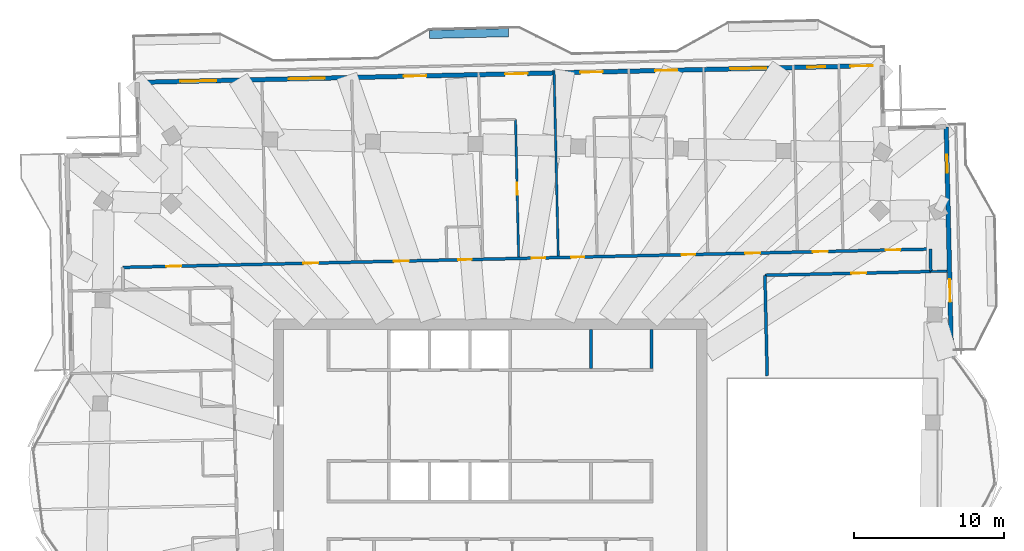
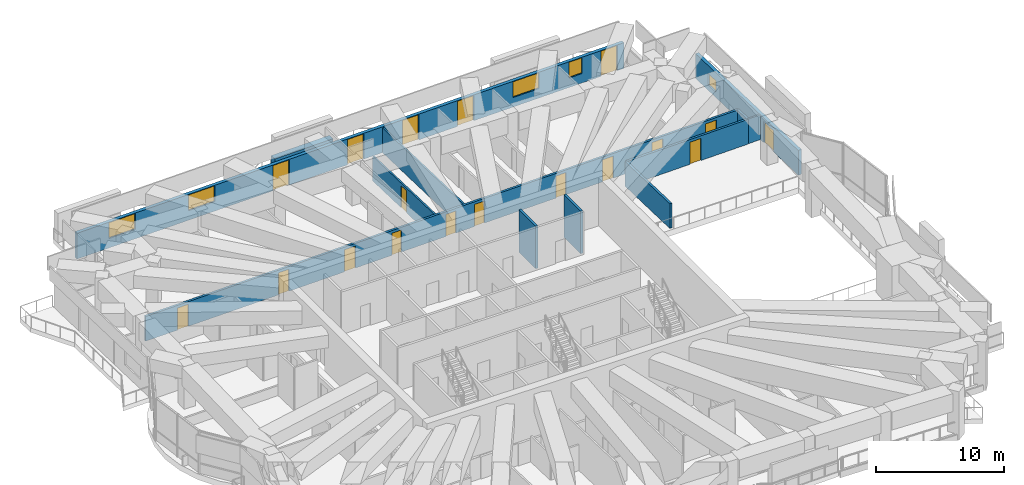
# One storey, part 16 of 21: 18 doors, 12 walls, 5 windows, 23 openings.
"""IFC4 building model written with IfcOpenShell, lengths in metres."""

from ifc_helpers import new_model, si_unit, direction, frame, frame_2d, origin, place, context, subcontext, project, spatial, rectangle, extrude, material, layer, layer_set, type_object, element, fill, save


model = new_model("IFC4")

# Units and contexts
model_context = context("Model", 3, precision=1e-05, world=origin(), true_north=direction((0.0, 1.0)))
body_context = subcontext(model_context, "Body", "Model", "MODEL_VIEW")
ifc_project = project(units=[si_unit("LENGTHUNIT", "METRE"), si_unit("AREAUNIT", "SQUARE_METRE"), si_unit("VOLUMEUNIT", "CUBIC_METRE"), si_unit("PLANEANGLEUNIT", "RADIAN"), si_unit("MASSUNIT", "GRAM", prefix="KILO")], contexts=[model_context])

# Site, building, storey
site_placement = place(None, origin())
site = spatial("IfcSite", under=ifc_project, at=site_placement, CompositionType="ELEMENT")
building_placement = place(site_placement, origin())
building = spatial("IfcBuilding", under=site, at=building_placement, Name="Mangrove Gate Tower", CompositionType="ELEMENT")
storey_placement = place(building_placement, frame((0.0, 0.0, 275.300048828125)))
storey = spatial("IfcBuildingStorey", under=building, at=storey_placement, Name="L70", CompositionType="ELEMENT", Elevation=275.300048828125)

# Walls
ifc_material_1 = material(Name="Concrete C32/40", Category="concrete")
ifc_layer_1 = layer(ifc_material_1, 0.199951171875)
ifc_layer_set_1 = layer_set([ifc_layer_1], Name="Core room wall 200 C32/40")
wall_type_1 = type_object("IfcWallType", Name="Core room wall 200 C32/40", PredefinedType="STANDARD", material=ifc_layer_set_1)
for number, where, z_axis, x_axis, name in (
    (1, (6.75, 8.199951171875, 0.0), (0.0, 0.0, 1.0), (0.0, 1.0, 0.0), "WALL-L70-CORE-31"),
    (2, (10.800048828125, 8.199951171875, 0.0), (0.0, 0.0, 1.0), (0.0, 1.0, 0.0), "WALL-L70-CORE-32"),
):
    element("IfcWall", number, at=place(storey_placement, frame(where, z_axis=z_axis, x_axis=x_axis)), inside=storey, type_object=wall_type_1, Name=name, PredefinedType="STANDARD", context=body_context, shape_type="SweptSolid", body=[
        extrude(rectangle(XDim=2.60009765625, YDim=0.199951171875, at=frame_2d((1.300048828125, 0.0))), origin(), (0.0, 0.0, 1.0), 4.050048828125),
    ])
ifc_material_2 = material(Name="Gypsum board on steel stud, EI 60", Category="steel")
ifc_layer_2 = layer(ifc_material_2, 0.199951171875)
ifc_layer_set_2 = layer_set([ifc_layer_2], Name="Corridor wall EI 60")
wall_type_2 = type_object("IfcWallType", Name="Corridor wall EI 60", PredefinedType="PARTITIONING", material=ifc_layer_set_2)
wall_1_placement = place(storey_placement, frame((18.537109375, 7.714111328125, 0.0), z_axis=(0.0, 0.0, 1.0), x_axis=(-0.022773383809, 0.999740652864, 0.0)))
element("IfcWall", 3, at=wall_1_placement, inside=storey, type_object=wall_type_2, Name="WALL-L70-044", PredefinedType="PARTITIONING", context=body_context, shape_type="SweptSolid", body=[
    extrude(rectangle(XDim=6.7216796875, YDim=0.199951171875, at=frame_2d((3.36083984375, 0.0))), origin(), (0.0, 0.0, 1.0), 2.349853515625),
])

# Wall, opening, door
wall_2_placement = place(storey_placement, frame((18.382080078125, 14.43408203125, 0.0), z_axis=(0.0, 0.0, 1.0), x_axis=(0.999742346277, 0.022698921993, 0.0)))
wall_2 = element("IfcWall", 4, at=wall_2_placement, inside=storey, type_object=wall_type_2, Name="WALL-L70-051", PredefinedType="PARTITIONING", context=body_context, shape_type="SweptSolid", body=[
    extrude(rectangle(XDim=11.099853515625, YDim=0.199951171875, at=frame_2d((5.5498046875, 0.0))), origin(), (0.0, 0.0, 1.0), 2.349853515625),
])
opening_1_placement = place(wall_2_placement, frame((5.777099609375, 0.0, 0.0)))
opening_1 = element("IfcOpeningElement", 5, at=opening_1_placement, cuts=wall_2, Name="Opening AD", PredefinedType="OPENING", context=body_context, shape_type="SweptSolid", body=[
    extrude(rectangle(XDim=1.0, YDim=2.10009765625, at=frame_2d((0.5, 1.050048828125))), frame((0.0, 0.10986328125, 0.0), z_axis=(0.0, -1.0, 0.0), x_axis=(1.0, 0.0, 0.0)), (0.0, 0.0, 1.0), 0.219970703125),
])
ifc_material_3 = material(Name="Timber door leaf", Category="wood")
door_type_1 = type_object("IfcDoorType", Name="Amenity door 1000", OperationType="SINGLE_SWING_LEFT", PredefinedType="DOOR", material=ifc_material_3)
door_1_placement = place(opening_1_placement, origin())
door_1 = element("IfcDoor", 6, at=door_1_placement, inside=storey, type_object=door_type_1, Name="DOOR-L70-GAM-c3b", OperationType="SINGLE_SWING_LEFT", OverallHeight=2.10009765625, OverallWidth=1.0, PredefinedType="DOOR", context=body_context, shape_type="SweptSolid", body=[
    extrude(rectangle(XDim=1.0, YDim=2.10009765625, at=frame_2d((0.5, 1.050048828125))), frame((0.0, 0.02490234375, 0.0), z_axis=(0.0, -1.0, 0.0), x_axis=(1.0, 0.0, 0.0)), (0.0, 0.0, 1.0), 0.050048828125),
])
fill(opening_1, door_1)

# Wall
wall_3_placement = place(storey_placement, frame((29.48095703125, 14.68603515625, 0.0), z_axis=(0.0, 0.0, 1.0), x_axis=(-0.022617910375, 0.999744182344, 0.0)))
element("IfcWall", 7, at=wall_3_placement, inside=storey, type_object=wall_type_2, Name="WALL-L70-053", PredefinedType="PARTITIONING", context=body_context, shape_type="SweptSolid", body=[
    extrude(rectangle(XDim=1.50048828125, YDim=0.199951171875, at=frame_2d((0.750244140625, 0.0))), origin(), (0.0, 0.0, 1.0), 2.349853515625),
])

# Wall, openings, doors
wall_4_placement = place(storey_placement, frame((-24.56591796875, 14.9599609375, 0.0), z_axis=(0.0, 0.0, 1.0), x_axis=(0.999742854064, 0.022676546211, 0.0)))
wall_4 = element("IfcWall", 8, at=wall_4_placement, inside=storey, type_object=wall_type_2, Name="WALL-L70-054", PredefinedType="PARTITIONING", context=body_context, shape_type="SweptSolid", body=[
    extrude(rectangle(XDim=54.02490234375, YDim=0.199951171875, at=frame_2d((27.012451171875, 0.0))), origin(), (0.0, 0.0, 1.0), 2.349853515625),
])
opening_2_placement = place(wall_4_placement, frame((51.031005859375, 0.0, 0.0)))
opening_2 = element("IfcOpeningElement", 9, at=opening_2_placement, cuts=wall_4, Name="Opening AD", PredefinedType="OPENING", context=body_context, shape_type="SweptSolid", body=[
    extrude(rectangle(XDim=1.0, YDim=2.10009765625, at=frame_2d((0.5, 1.050048828125))), frame((0.0, 0.10986328125, 0.0), z_axis=(0.0, -1.0, 0.0), x_axis=(1.0, 0.0, 0.0)), (0.0, 0.0, 1.0), 0.219970703125),
])
opening_3_placement = place(wall_4_placement, frame((46.1640625, 0.0, 0.0)))
opening_3 = element("IfcOpeningElement", 10, at=opening_3_placement, cuts=wall_4, Name="Opening AD", PredefinedType="OPENING", context=body_context, shape_type="SweptSolid", body=[
    extrude(rectangle(XDim=1.0, YDim=2.10009765625, at=frame_2d((0.5, 1.050048828125))), frame((0.0, 0.10986328125, 0.0), z_axis=(0.0, -1.0, 0.0), x_axis=(1.0, 0.0, 0.0)), (0.0, 0.0, 1.0), 0.219970703125),
])
opening_4_placement = place(wall_4_placement, frame((41.638916015625, 0.0, 0.0)))
opening_4 = element("IfcOpeningElement", 11, at=opening_4_placement, cuts=wall_4, Name="Opening AD", PredefinedType="OPENING", context=body_context, shape_type="SweptSolid", body=[
    extrude(rectangle(XDim=1.0, YDim=2.10009765625, at=frame_2d((0.5, 1.050048828125))), frame((0.0, 0.10986328125, 0.0), z_axis=(0.0, -1.0, 0.0), x_axis=(1.0, 0.0, 0.0)), (0.0, 0.0, 1.0), 0.219970703125),
])
opening_5_placement = place(wall_4_placement, frame((37.388916015625, 0.0, 0.0)))
opening_5 = element("IfcOpeningElement", 12, at=opening_5_placement, cuts=wall_4, Name="Opening BD", PredefinedType="OPENING", context=body_context, shape_type="SweptSolid", body=[
    extrude(rectangle(XDim=0.89990234375, YDim=2.10009765625, at=frame_2d((0.449951171875, 1.050048828125))), frame((0.0, 0.10986328125, 0.0), z_axis=(0.0, -1.0, 0.0), x_axis=(1.0, 0.0, 0.0)), (0.0, 0.0, 1.0), 0.219970703125),
])
opening_6_placement = place(wall_4_placement, frame((29.989013671875, 0.0, 0.0)))
opening_6 = element("IfcOpeningElement", 13, at=opening_6_placement, cuts=wall_4, Name="Opening BD", PredefinedType="OPENING", context=body_context, shape_type="SweptSolid", body=[
    extrude(rectangle(XDim=0.89990234375, YDim=2.10009765625, at=frame_2d((0.449951171875, 1.050048828125))), frame((0.0, 0.10986328125, 0.0), z_axis=(0.0, -1.0, 0.0), x_axis=(1.0, 0.0, 0.0)), (0.0, 0.0, 1.0), 0.219970703125),
])
opening_7_placement = place(wall_4_placement, frame((27.364013671875, 0.0, 0.0)))
opening_7 = element("IfcOpeningElement", 14, at=opening_7_placement, cuts=wall_4, Name="Opening BD", PredefinedType="OPENING", context=body_context, shape_type="SweptSolid", body=[
    extrude(rectangle(XDim=0.89990234375, YDim=2.10009765625, at=frame_2d((0.449951171875, 1.050048828125))), frame((0.0, 0.10986328125, 0.0), z_axis=(0.0, -1.0, 0.0), x_axis=(1.0, 0.0, 0.0)), (0.0, 0.0, 1.0), 0.219970703125),
])
opening_8_placement = place(wall_4_placement, frame((18.138916015625, 0.0, 0.0)))
opening_8 = element("IfcOpeningElement", 15, at=opening_8_placement, cuts=wall_4, Name="Opening AD", PredefinedType="OPENING", context=body_context, shape_type="SweptSolid", body=[
    extrude(rectangle(XDim=1.0, YDim=2.10009765625, at=frame_2d((0.5, 1.050048828125))), frame((0.0, 0.10986328125, 0.0), z_axis=(0.0, -1.0, 0.0), x_axis=(1.0, 0.0, 0.0)), (0.0, 0.0, 1.0), 0.219970703125),
])
opening_9_placement = place(wall_4_placement, frame((22.43896484375, 0.0, 0.0)))
opening_9 = element("IfcOpeningElement", 16, at=opening_9_placement, cuts=wall_4, Name="Opening SD", PredefinedType="OPENING", context=body_context, shape_type="SweptSolid", body=[
    extrude(rectangle(XDim=0.89990234375, YDim=2.10009765625, at=frame_2d((0.449951171875, 1.050048828125))), frame((0.0, 0.10986328125, 0.0), z_axis=(0.0, -1.0, 0.0), x_axis=(1.0, 0.0, 0.0)), (0.0, 0.0, 1.0), 0.219970703125),
])
opening_10_placement = place(wall_4_placement, frame((12.089111328125, 0.0, 0.0)))
opening_10 = element("IfcOpeningElement", 17, at=opening_10_placement, cuts=wall_4, Name="Opening AD", PredefinedType="OPENING", context=body_context, shape_type="SweptSolid", body=[
    extrude(rectangle(XDim=1.0, YDim=2.10009765625, at=frame_2d((0.5, 1.050048828125))), frame((0.0, 0.10986328125, 0.0), z_axis=(0.0, -1.0, 0.0), x_axis=(1.0, 0.0, 0.0)), (0.0, 0.0, 1.0), 0.219970703125),
])
opening_11_placement = place(wall_4_placement, frame((2.91796875, 0.0, 0.0)))
opening_11 = element("IfcOpeningElement", 18, at=opening_11_placement, cuts=wall_4, Name="Opening AD", PredefinedType="OPENING", context=body_context, shape_type="SweptSolid", body=[
    extrude(rectangle(XDim=1.0, YDim=2.10009765625, at=frame_2d((0.5, 1.050048828125))), frame((0.0, 0.10986328125, 0.0), z_axis=(0.0, -1.0, 0.0), x_axis=(1.0, 0.0, 0.0)), (0.0, 0.0, 1.0), 0.219970703125),
])
door_2_placement = place(opening_2_placement, origin())
door_2 = element("IfcDoor", 19, at=door_2_placement, inside=storey, type_object=door_type_1, Name="DOOR-L70-STU-c3b", OperationType="SINGLE_SWING_RIGHT", OverallHeight=2.10009765625, OverallWidth=1.0, PredefinedType="DOOR", context=body_context, shape_type="SweptSolid", body=[
    extrude(rectangle(XDim=1.0, YDim=2.10009765625, at=frame_2d((0.5, 1.050048828125))), frame((0.0, 0.02490234375, 0.0), z_axis=(0.0, -1.0, 0.0), x_axis=(1.0, 0.0, 0.0)), (0.0, 0.0, 1.0), 0.050048828125),
])
fill(opening_2, door_2)
door_3_placement = place(opening_3_placement, origin())
door_3 = element("IfcDoor", 20, at=door_3_placement, inside=storey, type_object=door_type_1, Name="DOOR-L70-STU-c3c", OperationType="SINGLE_SWING_LEFT", OverallHeight=2.10009765625, OverallWidth=1.0, PredefinedType="DOOR", context=body_context, shape_type="SweptSolid", body=[
    extrude(rectangle(XDim=1.0, YDim=2.10009765625, at=frame_2d((0.5, 1.050048828125))), frame((0.0, 0.02490234375, 0.0), z_axis=(0.0, -1.0, 0.0), x_axis=(1.0, 0.0, 0.0)), (0.0, 0.0, 1.0), 0.050048828125),
])
fill(opening_3, door_3)
door_4_placement = place(opening_4_placement, origin())
door_4 = element("IfcDoor", 21, at=door_4_placement, inside=storey, type_object=door_type_1, Name="DOOR-L70-KIT-c3b", OperationType="SINGLE_SWING_RIGHT", OverallHeight=2.10009765625, OverallWidth=1.0, PredefinedType="DOOR", context=body_context, shape_type="SweptSolid", body=[
    extrude(rectangle(XDim=1.0, YDim=2.10009765625, at=frame_2d((0.5, 1.050048828125))), frame((0.0, 0.02490234375, 0.0), z_axis=(0.0, -1.0, 0.0), x_axis=(1.0, 0.0, 0.0)), (0.0, 0.0, 1.0), 0.050048828125),
])
fill(opening_4, door_4)
door_5_placement = place(opening_8_placement, origin())
door_5 = element("IfcDoor", 22, at=door_5_placement, inside=storey, type_object=door_type_1, Name="DOOR-L70-LNG-c5a", OperationType="SINGLE_SWING_LEFT", OverallHeight=2.10009765625, OverallWidth=1.0, PredefinedType="DOOR", context=body_context, shape_type="SweptSolid", body=[
    extrude(rectangle(XDim=1.0, YDim=2.10009765625, at=frame_2d((0.5, 1.050048828125))), frame((0.0, 0.02490234375, 0.0), z_axis=(0.0, -1.0, 0.0), x_axis=(1.0, 0.0, 0.0)), (0.0, 0.0, 1.0), 0.050048828125),
])
fill(opening_8, door_5)
door_6_placement = place(opening_10_placement, origin())
door_6 = element("IfcDoor", 23, at=door_6_placement, inside=storey, type_object=door_type_1, Name="DOOR-L70-KIT-c5a", OperationType="SINGLE_SWING_RIGHT", OverallHeight=2.10009765625, OverallWidth=1.0, PredefinedType="DOOR", context=body_context, shape_type="SweptSolid", body=[
    extrude(rectangle(XDim=1.0, YDim=2.10009765625, at=frame_2d((0.5, 1.050048828125))), frame((0.0, 0.02490234375, 0.0), z_axis=(0.0, -1.0, 0.0), x_axis=(1.0, 0.0, 0.0)), (0.0, 0.0, 1.0), 0.050048828125),
])
fill(opening_10, door_6)
door_7_placement = place(opening_11_placement, origin())
door_7 = element("IfcDoor", 24, at=door_7_placement, inside=storey, type_object=door_type_1, Name="DOOR-L70-LNG-c5b", OperationType="SINGLE_SWING_LEFT", OverallHeight=2.10009765625, OverallWidth=1.0, PredefinedType="DOOR", context=body_context, shape_type="SweptSolid", body=[
    extrude(rectangle(XDim=1.0, YDim=2.10009765625, at=frame_2d((0.5, 1.050048828125))), frame((0.0, 0.02490234375, 0.0), z_axis=(0.0, -1.0, 0.0), x_axis=(1.0, 0.0, 0.0)), (0.0, 0.0, 1.0), 0.050048828125),
])
fill(opening_11, door_7)
ifc_material_4 = material(Name="Timber door leaf", Category="wood")
door_type_2 = type_object("IfcDoorType", Name="Bedroom door 900", OperationType="SINGLE_SWING_LEFT", PredefinedType="DOOR", material=ifc_material_4)
door_8_placement = place(opening_5_placement, origin())
door_8 = element("IfcDoor", 25, at=door_8_placement, inside=storey, type_object=door_type_2, Name="DOOR-L70-BED-c305", OperationType="SINGLE_SWING_LEFT", OverallHeight=2.10009765625, OverallWidth=0.89990234375, PredefinedType="DOOR", context=body_context, shape_type="SweptSolid", body=[
    extrude(rectangle(XDim=0.89990234375, YDim=2.10009765625, at=frame_2d((0.449951171875, 1.050048828125))), frame((0.0, 0.02490234375, 0.0), z_axis=(0.0, -1.0, 0.0), x_axis=(1.0, 0.0, 0.0)), (0.0, 0.0, 1.0), 0.050048828125),
])
fill(opening_5, door_8)
door_9_placement = place(opening_6_placement, origin())
door_9 = element("IfcDoor", 26, at=door_9_placement, inside=storey, type_object=door_type_2, Name="DOOR-L70-BED-c406", OperationType="SINGLE_SWING_RIGHT", OverallHeight=2.10009765625, OverallWidth=0.89990234375, PredefinedType="DOOR", context=body_context, shape_type="SweptSolid", body=[
    extrude(rectangle(XDim=0.89990234375, YDim=2.10009765625, at=frame_2d((0.449951171875, 1.050048828125))), frame((0.0, 0.02490234375, 0.0), z_axis=(0.0, -1.0, 0.0), x_axis=(1.0, 0.0, 0.0)), (0.0, 0.0, 1.0), 0.050048828125),
])
fill(opening_6, door_9)
door_10_placement = place(opening_7_placement, origin())
door_10 = element("IfcDoor", 27, at=door_10_placement, inside=storey, type_object=door_type_2, Name="DOOR-L70-BED-c507", OperationType="SINGLE_SWING_LEFT", OverallHeight=2.10009765625, OverallWidth=0.89990234375, PredefinedType="DOOR", context=body_context, shape_type="SweptSolid", body=[
    extrude(rectangle(XDim=0.89990234375, YDim=2.10009765625, at=frame_2d((0.449951171875, 1.050048828125))), frame((0.0, 0.02490234375, 0.0), z_axis=(0.0, -1.0, 0.0), x_axis=(1.0, 0.0, 0.0)), (0.0, 0.0, 1.0), 0.050048828125),
])
fill(opening_7, door_10)
ifc_material_5 = material(Name="Timber door leaf", Category="wood")
door_type_3 = type_object("IfcDoorType", Name="Service room door 900", OperationType="SINGLE_SWING_LEFT", PredefinedType="DOOR", material=ifc_material_5)
door_11_placement = place(opening_9_placement, origin())
door_11 = element("IfcDoor", 28, at=door_11_placement, inside=storey, type_object=door_type_3, Name="DOOR-L70-LIN-c5a", OperationType="SINGLE_SWING_LEFT", OverallHeight=2.10009765625, OverallWidth=0.89990234375, PredefinedType="DOOR", context=body_context, shape_type="SweptSolid", body=[
    extrude(rectangle(XDim=0.89990234375, YDim=2.10009765625, at=frame_2d((0.449951171875, 1.050048828125))), frame((0.0, 0.02490234375, 0.0), z_axis=(0.0, -1.0, 0.0), x_axis=(1.0, 0.0, 0.0)), (0.0, 0.0, 1.0), 0.050048828125),
])
fill(opening_9, door_11)

# Wall, openings, door, window
ifc_material_6 = material(Name="Limestone", Category="masonry")
ifc_layer_3 = layer(ifc_material_6, 0.0400390625, Name="Limestone cladding")
ifc_material_7 = material(Name="Ventilated air gap")
ifc_layer_4 = layer(ifc_material_7, 0.0400390625, Name="Ventilated cavity")
ifc_material_8 = material(Name="Mineral wool insulation")
ifc_layer_5 = layer(ifc_material_8, 0.06005859375, Name="Insulation")
ifc_material_9 = material(Name="Breather membrane")
ifc_layer_6 = layer(ifc_material_9, 0.001953125, Name="Breather membrane")
ifc_material_10 = material(Name="Concrete C20/25 blockwork", Category="masonry")
ifc_layer_7 = layer(ifc_material_10, 0.14990234375, Name="Blockwork backing wall")
ifc_material_11 = material(Name="Gypsum plaster")
ifc_layer_8 = layer(ifc_material_11, 0.008056640625, Name="Internal plaster")
ifc_layer_set_3 = layer_set([ifc_layer_3, ifc_layer_4, ifc_layer_5, ifc_layer_6, ifc_layer_7, ifc_layer_8], Name="External wall 300 limestone cladding")
wall_type_3 = type_object("IfcWallType", Name="External wall 300 limestone cladding", PredefinedType="SOLIDWALL", material=ifc_layer_set_3)
wall_5_placement = place(storey_placement, frame((30.860107421875, 8.972900390625, 0.0), z_axis=(0.0, 0.0, 1.0), x_axis=(-0.022743742485, 0.999741327633, 0.0)))
wall_5 = element("IfcWall", 29, at=wall_5_placement, inside=storey, type_object=wall_type_3, Name="WALL-L70-E2", PredefinedType="SOLIDWALL", context=body_context, shape_type="SweptSolid", body=[
    extrude(rectangle(XDim=15.39306640625, YDim=0.300048828125, at=frame_2d((7.696533203125, 0.0))), origin(), (0.0, 0.0, 1.0), 2.349853515625),
])
opening_12_placement = place(wall_5_placement, frame((3.68408203125, 0.0, 0.0)))
opening_12 = element("IfcOpeningElement", 30, at=opening_12_placement, cuts=wall_5, Name="Opening BD3", PredefinedType="OPENING", context=body_context, shape_type="SweptSolid", body=[
    extrude(rectangle(XDim=1.5, YDim=2.0, at=frame_2d((0.75, 1.0))), frame((0.0, 0.159912109375, 0.0), z_axis=(0.0, -1.0, 0.0), x_axis=(1.0, 0.0, 0.0)), (0.0, 0.0, 1.0), 0.320068359375),
])
opening_13_placement = place(wall_5_placement, frame((12.31298828125, 0.0, 0.5)))
opening_13 = element("IfcOpeningElement", 31, at=opening_13_placement, cuts=wall_5, Name="Opening W6", PredefinedType="OPENING", context=body_context, shape_type="SweptSolid", body=[
    extrude(rectangle(XDim=1.199951171875, YDim=1.10009765625, at=frame_2d((0.60009765625, 0.550048828125))), frame((0.0, 0.159912109375, 0.0), z_axis=(0.0, -1.0, 0.0), x_axis=(1.0, 0.0, 0.0)), (0.0, 0.0, 1.0), 0.320068359375),
])
ifc_material_12 = material(Name="Aluminium frame with laminated clear glass", Category="aluminium")
door_type_4 = type_object("IfcDoorType", Name="Balcony sliding door 1500x2000", OperationType="SLIDING_TO_LEFT", PredefinedType="DOOR", material=ifc_material_12)
door_12_placement = place(opening_12_placement, origin())
door_12 = element("IfcDoor", 32, at=door_12_placement, inside=storey, type_object=door_type_4, Name="DOOR-L70-E2-1", OperationType="SLIDING_TO_LEFT", OverallHeight=2.0, OverallWidth=1.5, PredefinedType="DOOR", context=body_context, shape_type="SweptSolid", body=[
    extrude(rectangle(XDim=1.5, YDim=2.0, at=frame_2d((0.75, 1.0))), frame((0.0, 0.02490234375, 0.0), z_axis=(0.0, -1.0, 0.0), x_axis=(1.0, 0.0, 0.0)), (0.0, 0.0, 1.0), 0.050048828125),
])
fill(opening_12, door_12)
ifc_material_13 = material(Name="Aluminium frame with double-glazed low-e glass", Category="aluminium")
window_type_1 = type_object("IfcWindowType", Name="Low window 1200x1100", PartitioningType="SINGLE_PANEL", PredefinedType="WINDOW", material=ifc_material_13)
window_1_placement = place(opening_13_placement, origin())
window_1 = element("IfcWindow", 33, at=window_1_placement, inside=storey, type_object=window_type_1, Name="WIN-L70-E2-2", OverallHeight=1.10009765625, OverallWidth=1.199951171875, PartitioningType="SINGLE_PANEL", PredefinedType="WINDOW", context=body_context, shape_type="SweptSolid", body=[
    extrude(rectangle(XDim=1.199951171875, YDim=1.10009765625, at=frame_2d((0.60009765625, 0.550048828125))), frame((0.0, 0.030029296875, 0.0), z_axis=(0.0, -1.0, 0.0), x_axis=(1.0, 0.0, 0.0)), (0.0, 0.0, 1.0), 0.06005859375),
])
fill(opening_13, window_1)

# Wall, openings, doors, windows
wall_6_placement = place(storey_placement, frame((26.216064453125, 28.465087890625, 0.0), z_axis=(0.0, 0.0, 1.0), x_axis=(-0.999742843677, -0.022677004157, 0.0)))
wall_6 = element("IfcWall", 34, at=wall_6_placement, inside=storey, type_object=wall_type_3, Name="WALL-L70-N5", PredefinedType="SOLIDWALL", context=body_context, shape_type="SweptSolid", body=[
    extrude(rectangle(XDim=49.835693359375, YDim=0.300048828125, at=frame_2d((24.91796875, 0.0))), origin(), (0.0, 0.0, 1.0), 2.449951171875),
])
opening_14_placement = place(wall_6_placement, frame((0.617919921875, 0.0, 0.0)))
opening_14 = element("IfcOpeningElement", 35, at=opening_14_placement, cuts=wall_6, Name="Opening BD1", PredefinedType="OPENING", context=body_context, shape_type="SweptSolid", body=[
    extrude(rectangle(XDim=1.5, YDim=2.39990234375, at=frame_2d((0.75, 1.199951171875))), frame((0.0, 0.159912109375, 0.0), z_axis=(0.0, -1.0, 0.0), x_axis=(1.0, 0.0, 0.0)), (0.0, 0.0, 1.0), 0.320068359375),
])
opening_15_placement = place(wall_6_placement, frame((3.81103515625, 0.0, 0.89990234375)))
opening_15 = element("IfcOpeningElement", 36, at=opening_15_placement, cuts=wall_6, Name="Opening W1", PredefinedType="OPENING", context=body_context, shape_type="SweptSolid", body=[
    extrude(rectangle(XDim=1.199951171875, YDim=1.5, at=frame_2d((0.60009765625, 0.75))), frame((0.0, 0.159912109375, 0.0), z_axis=(0.0, -1.0, 0.0), x_axis=(1.0, 0.0, 0.0)), (0.0, 0.0, 1.0), 0.320068359375),
])
opening_16_placement = place(wall_6_placement, frame((7.736083984375, 0.0, 0.89990234375)))
opening_16 = element("IfcOpeningElement", 37, at=opening_16_placement, cuts=wall_6, Name="Opening W2", PredefinedType="OPENING", context=body_context, shape_type="SweptSolid", body=[
    extrude(rectangle(XDim=2.39990234375, YDim=1.5, at=frame_2d((1.199951171875, 0.75))), frame((0.0, 0.159912109375, 0.0), z_axis=(0.0, -1.0, 0.0), x_axis=(1.0, 0.0, 0.0)), (0.0, 0.0, 1.0), 0.320068359375),
])
opening_17_placement = place(wall_6_placement, frame((13.68603515625, 0.0, 0.0)))
opening_17 = element("IfcOpeningElement", 38, at=opening_17_placement, cuts=wall_6, Name="Opening BD1", PredefinedType="OPENING", context=body_context, shape_type="SweptSolid", body=[
    extrude(rectangle(XDim=1.5, YDim=2.39990234375, at=frame_2d((0.75, 1.199951171875))), frame((0.0, 0.159912109375, 0.0), z_axis=(0.0, -1.0, 0.0), x_axis=(1.0, 0.0, 0.0)), (0.0, 0.0, 1.0), 0.320068359375),
])
opening_18_placement = place(wall_6_placement, frame((18.68603515625, 0.0, 0.0)))
opening_18 = element("IfcOpeningElement", 39, at=opening_18_placement, cuts=wall_6, Name="Opening BD1", PredefinedType="OPENING", context=body_context, shape_type="SweptSolid", body=[
    extrude(rectangle(XDim=1.5, YDim=2.39990234375, at=frame_2d((0.75, 1.199951171875))), frame((0.0, 0.159912109375, 0.0), z_axis=(0.0, -1.0, 0.0), x_axis=(1.0, 0.0, 0.0)), (0.0, 0.0, 1.0), 0.320068359375),
])
opening_19_placement = place(wall_6_placement, frame((23.7109375, 0.0, 0.0)))
opening_19 = element("IfcOpeningElement", 40, at=opening_19_placement, cuts=wall_6, Name="Opening BD1", PredefinedType="OPENING", context=body_context, shape_type="SweptSolid", body=[
    extrude(rectangle(XDim=1.5, YDim=2.39990234375, at=frame_2d((0.75, 1.199951171875))), frame((0.0, 0.159912109375, 0.0), z_axis=(0.0, -1.0, 0.0), x_axis=(1.0, 0.0, 0.0)), (0.0, 0.0, 1.0), 0.320068359375),
])
opening_20_placement = place(wall_6_placement, frame((30.486083984375, 0.0, 0.0)))
opening_20 = element("IfcOpeningElement", 41, at=opening_20_placement, cuts=wall_6, Name="Opening BD1", PredefinedType="OPENING", context=body_context, shape_type="SweptSolid", body=[
    extrude(rectangle(XDim=1.5, YDim=2.39990234375, at=frame_2d((0.75, 1.199951171875))), frame((0.0, 0.159912109375, 0.0), z_axis=(0.0, -1.0, 0.0), x_axis=(1.0, 0.0, 0.0)), (0.0, 0.0, 1.0), 0.320068359375),
])
opening_21_placement = place(wall_6_placement, frame((37.285888671875, 0.0, 0.89990234375)))
opening_21 = element("IfcOpeningElement", 42, at=opening_21_placement, cuts=wall_6, Name="Opening W2", PredefinedType="OPENING", context=body_context, shape_type="SweptSolid", body=[
    extrude(rectangle(XDim=2.39990234375, YDim=1.5, at=frame_2d((1.199951171875, 0.75))), frame((0.0, 0.159912109375, 0.0), z_axis=(0.0, -1.0, 0.0), x_axis=(1.0, 0.0, 0.0)), (0.0, 0.0, 1.0), 0.320068359375),
])
opening_22_placement = place(wall_6_placement, frame((44.535888671875, 0.0, 0.89990234375)))
opening_22 = element("IfcOpeningElement", 43, at=opening_22_placement, cuts=wall_6, Name="Opening W2", PredefinedType="OPENING", context=body_context, shape_type="SweptSolid", body=[
    extrude(rectangle(XDim=2.39990234375, YDim=1.5, at=frame_2d((1.199951171875, 0.75))), frame((0.0, 0.159912109375, 0.0), z_axis=(0.0, -1.0, 0.0), x_axis=(1.0, 0.0, 0.0)), (0.0, 0.0, 1.0), 0.320068359375),
])
ifc_material_14 = material(Name="Aluminium frame with laminated clear glass", Category="aluminium")
door_type_5 = type_object("IfcDoorType", Name="Balcony sliding door 1500x2400", OperationType="SLIDING_TO_LEFT", PredefinedType="DOOR", material=ifc_material_14)
door_13_placement = place(opening_14_placement, origin())
door_13 = element("IfcDoor", 44, at=door_13_placement, inside=storey, type_object=door_type_5, Name="DOOR-L70-N5-1", OperationType="SLIDING_TO_LEFT", OverallHeight=2.39990234375, OverallWidth=1.5, PredefinedType="DOOR", context=body_context, shape_type="SweptSolid", body=[
    extrude(rectangle(XDim=1.5, YDim=2.39990234375, at=frame_2d((0.75, 1.199951171875))), frame((0.0, 0.02490234375, 0.0), z_axis=(0.0, -1.0, 0.0), x_axis=(1.0, 0.0, 0.0)), (0.0, 0.0, 1.0), 0.050048828125),
])
fill(opening_14, door_13)
door_14_placement = place(opening_17_placement, origin())
door_14 = element("IfcDoor", 45, at=door_14_placement, inside=storey, type_object=door_type_5, Name="DOOR-L70-N5-4", OperationType="SLIDING_TO_LEFT", OverallHeight=2.39990234375, OverallWidth=1.5, PredefinedType="DOOR", context=body_context, shape_type="SweptSolid", body=[
    extrude(rectangle(XDim=1.5, YDim=2.39990234375, at=frame_2d((0.75, 1.199951171875))), frame((0.0, 0.02490234375, 0.0), z_axis=(0.0, -1.0, 0.0), x_axis=(1.0, 0.0, 0.0)), (0.0, 0.0, 1.0), 0.050048828125),
])
fill(opening_17, door_14)
door_15_placement = place(opening_18_placement, origin())
door_15 = element("IfcDoor", 46, at=door_15_placement, inside=storey, type_object=door_type_5, Name="DOOR-L70-N5-5", OperationType="SLIDING_TO_LEFT", OverallHeight=2.39990234375, OverallWidth=1.5, PredefinedType="DOOR", context=body_context, shape_type="SweptSolid", body=[
    extrude(rectangle(XDim=1.5, YDim=2.39990234375, at=frame_2d((0.75, 1.199951171875))), frame((0.0, 0.02490234375, 0.0), z_axis=(0.0, -1.0, 0.0), x_axis=(1.0, 0.0, 0.0)), (0.0, 0.0, 1.0), 0.050048828125),
])
fill(opening_18, door_15)
door_16_placement = place(opening_19_placement, origin())
door_16 = element("IfcDoor", 47, at=door_16_placement, inside=storey, type_object=door_type_5, Name="DOOR-L70-N5-6", OperationType="SLIDING_TO_LEFT", OverallHeight=2.39990234375, OverallWidth=1.5, PredefinedType="DOOR", context=body_context, shape_type="SweptSolid", body=[
    extrude(rectangle(XDim=1.5, YDim=2.39990234375, at=frame_2d((0.75, 1.199951171875))), frame((0.0, 0.02490234375, 0.0), z_axis=(0.0, -1.0, 0.0), x_axis=(1.0, 0.0, 0.0)), (0.0, 0.0, 1.0), 0.050048828125),
])
fill(opening_19, door_16)
door_17_placement = place(opening_20_placement, origin())
door_17 = element("IfcDoor", 48, at=door_17_placement, inside=storey, type_object=door_type_5, Name="DOOR-L70-N5-7", OperationType="SLIDING_TO_LEFT", OverallHeight=2.39990234375, OverallWidth=1.5, PredefinedType="DOOR", context=body_context, shape_type="SweptSolid", body=[
    extrude(rectangle(XDim=1.5, YDim=2.39990234375, at=frame_2d((0.75, 1.199951171875))), frame((0.0, 0.02490234375, 0.0), z_axis=(0.0, -1.0, 0.0), x_axis=(1.0, 0.0, 0.0)), (0.0, 0.0, 1.0), 0.050048828125),
])
fill(opening_20, door_17)
ifc_material_15 = material(Name="Aluminium frame with double-glazed low-e glass", Category="aluminium")
window_type_2 = type_object("IfcWindowType", Name="Corner room window 2400x1500", PartitioningType="DOUBLE_PANEL_VERTICAL", PredefinedType="WINDOW", material=ifc_material_15)
window_2_placement = place(opening_16_placement, origin())
window_2 = element("IfcWindow", 49, at=window_2_placement, inside=storey, type_object=window_type_2, Name="WIN-L70-N5-3", OverallHeight=1.5, OverallWidth=2.39990234375, PartitioningType="DOUBLE_PANEL_VERTICAL", PredefinedType="WINDOW", context=body_context, shape_type="SweptSolid", body=[
    extrude(rectangle(XDim=2.39990234375, YDim=1.5, at=frame_2d((1.199951171875, 0.75))), frame((0.0, 0.030029296875, 0.0), z_axis=(0.0, -1.0, 0.0), x_axis=(1.0, 0.0, 0.0)), (0.0, 0.0, 1.0), 0.06005859375),
])
fill(opening_16, window_2)
window_3_placement = place(opening_21_placement, origin())
window_3 = element("IfcWindow", 50, at=window_3_placement, inside=storey, type_object=window_type_2, Name="WIN-L70-N5-8", OverallHeight=1.5, OverallWidth=2.39990234375, PartitioningType="DOUBLE_PANEL_VERTICAL", PredefinedType="WINDOW", context=body_context, shape_type="SweptSolid", body=[
    extrude(rectangle(XDim=2.39990234375, YDim=1.5, at=frame_2d((1.199951171875, 0.75))), frame((0.0, 0.030029296875, 0.0), z_axis=(0.0, -1.0, 0.0), x_axis=(1.0, 0.0, 0.0)), (0.0, 0.0, 1.0), 0.06005859375),
])
fill(opening_21, window_3)
window_4_placement = place(opening_22_placement, origin())
window_4 = element("IfcWindow", 51, at=window_4_placement, inside=storey, type_object=window_type_2, Name="WIN-L70-N5-9", OverallHeight=1.5, OverallWidth=2.39990234375, PartitioningType="DOUBLE_PANEL_VERTICAL", PredefinedType="WINDOW", context=body_context, shape_type="SweptSolid", body=[
    extrude(rectangle(XDim=2.39990234375, YDim=1.5, at=frame_2d((1.199951171875, 0.75))), frame((0.0, 0.030029296875, 0.0), z_axis=(0.0, -1.0, 0.0), x_axis=(1.0, 0.0, 0.0)), (0.0, 0.0, 1.0), 0.06005859375),
])
fill(opening_22, window_4)
ifc_material_16 = material(Name="Aluminium frame with double-glazed low-e glass", Category="aluminium")
window_type_3 = type_object("IfcWindowType", Name="Side lite 1200x1500", PartitioningType="SINGLE_PANEL", PredefinedType="WINDOW", material=ifc_material_16)
window_5_placement = place(opening_15_placement, origin())
window_5 = element("IfcWindow", 52, at=window_5_placement, inside=storey, type_object=window_type_3, Name="WIN-L70-N5-2", OverallHeight=1.5, OverallWidth=1.199951171875, PartitioningType="SINGLE_PANEL", PredefinedType="WINDOW", context=body_context, shape_type="SweptSolid", body=[
    extrude(rectangle(XDim=1.199951171875, YDim=1.5, at=frame_2d((0.60009765625, 0.75))), frame((0.0, 0.030029296875, 0.0), z_axis=(0.0, -1.0, 0.0), x_axis=(1.0, 0.0, 0.0)), (0.0, 0.0, 1.0), 0.06005859375),
])
fill(opening_15, window_5)

# Wall
ifc_material_17 = material(Name="Gypsum board on steel stud, EI 60", Category="steel")
ifc_layer_9 = layer(ifc_material_17, 0.14990234375)
ifc_layer_set_4 = layer_set([ifc_layer_9], Name="Party wall 150 EI 60")
wall_type_4 = type_object("IfcWallType", Name="Party wall 150 EI 60", PredefinedType="PARTITIONING", material=ifc_layer_set_4)
wall_7_placement = place(storey_placement, frame((29.47900390625, 14.68603515625, 0.0), z_axis=(0.0, 0.0, 1.0), x_axis=(0.9997438932, 0.022630687329, 0.0)))
element("IfcWall", 53, at=wall_7_placement, inside=storey, type_object=wall_type_4, Name="WALL-L70-052", PredefinedType="PARTITIONING", context=body_context, shape_type="SweptSolid", body=[
    extrude(rectangle(XDim=1.100341796875, YDim=0.14990234375, at=frame_2d((0.55029296875, 0.0))), origin(), (0.0, 0.0, 1.0), 2.349853515625),
])

# Wall, opening, door
wall_8_placement = place(storey_placement, frame((1.912109375, 15.660888671875, 0.0), z_axis=(0.0, 0.0, 1.0), x_axis=(-0.022743710504, 0.999741328361, 0.0)))
wall_8 = element("IfcWall", 54, at=wall_8_placement, inside=storey, type_object=wall_type_4, Name="WALL-L70-059", PredefinedType="PARTITIONING", context=body_context, shape_type="SweptSolid", body=[
    extrude(rectangle(XDim=9.199462890625, YDim=0.14990234375, at=frame_2d((4.599609375, 0.0))), origin(), (0.0, 0.0, 1.0), 2.349853515625),
])
opening_23_placement = place(wall_8_placement, frame((4.14990234375, 0.0, 0.0)))
opening_23 = element("IfcOpeningElement", 55, at=opening_23_placement, cuts=wall_8, Name="Opening ED", PredefinedType="OPENING", context=body_context, shape_type="SweptSolid", body=[
    extrude(rectangle(XDim=0.800048828125, YDim=2.10009765625, at=frame_2d((0.39990234375, 1.050048828125))), frame((0.0, 0.0849609375, 0.0), z_axis=(0.0, -1.0, 0.0), x_axis=(1.0, 0.0, 0.0)), (0.0, 0.0, 1.0), 0.169921875),
])
ifc_material_18 = material(Name="Timber door leaf", Category="wood")
door_type_6 = type_object("IfcDoorType", Name="En-suite door 800", OperationType="SINGLE_SWING_LEFT", PredefinedType="DOOR", material=ifc_material_18)
door_18_placement = place(opening_23_placement, origin())
door_18 = element("IfcDoor", 56, at=door_18_placement, inside=storey, type_object=door_type_6, Name="DOOR-L70-ENS-c507", OperationType="SINGLE_SWING_LEFT", OverallHeight=2.10009765625, OverallWidth=0.800048828125, PredefinedType="DOOR", context=body_context, shape_type="SweptSolid", body=[
    extrude(rectangle(XDim=0.800048828125, YDim=2.10009765625, at=frame_2d((0.39990234375, 1.050048828125))), frame((0.0, 0.02490234375, 0.0), z_axis=(0.0, -1.0, 0.0), x_axis=(1.0, 0.0, 0.0)), (0.0, 0.0, 1.0), 0.050048828125),
])
fill(opening_23, door_18)

# Walls
wall_9_placement = place(storey_placement, frame((4.56201171875, 15.720947265625, 0.0), z_axis=(0.0, 0.0, 1.0), x_axis=(-0.022740189192, 0.999741408463, 0.0)))
element("IfcWall", 57, at=wall_9_placement, inside=storey, type_object=wall_type_4, Name="WALL-L70-060", PredefinedType="PARTITIONING", context=body_context, shape_type="SweptSolid", body=[
    extrude(rectangle(XDim=12.400146484375, YDim=0.14990234375, at=frame_2d((6.2001953125, 0.0))), origin(), (0.0, 0.0, 1.0), 2.349853515625),
])
ifc_material_19 = material(Name="Concrete C32/40", Category="concrete")
ifc_layer_10 = layer(ifc_material_19, 0.199951171875, Name="Planter trough wall")
ifc_material_20 = material(Name="Bituminous waterproofing membrane")
ifc_layer_11 = layer(ifc_material_20, 0.0048828125, Name="Waterproofing")
ifc_material_21 = material(Name="Drainage board and gravel")
ifc_layer_12 = layer(ifc_material_21, 0.044921875, Name="Drainage layer")
ifc_material_22 = material(Name="Planting soil")
ifc_layer_13 = layer(ifc_material_22, 0.300048828125, Name="Growing medium")
ifc_layer_set_5 = layer_set([ifc_layer_10, ifc_layer_11, ifc_layer_12, ifc_layer_13], Name="Planter wall 550 C32/40")
wall_type_5 = type_object("IfcWallType", Name="Planter wall 550 C32/40", PredefinedType="USERDEFINED", material=ifc_layer_set_5)
wall_10_placement = place(storey_placement, frame((-4.056884765625, 30.5439453125, 0.0), z_axis=(0.0, 0.0, 1.0), x_axis=(0.999743070872, 0.022666985754, 0.0)))
element("IfcWall", 58, at=wall_10_placement, inside=storey, type_object=wall_type_5, Name="PLANTER L70 N1.2", ObjectType="PLANTER", PredefinedType="USERDEFINED", context=body_context, shape_type="SweptSolid", body=[
    extrude(rectangle(XDim=5.29931640625, YDim=0.550048828125, at=frame_2d((2.649658203125, 0.0))), origin(), (0.0, 0.0, 1.0), 0.800048828125),
])

save(model, "model.ifc")
